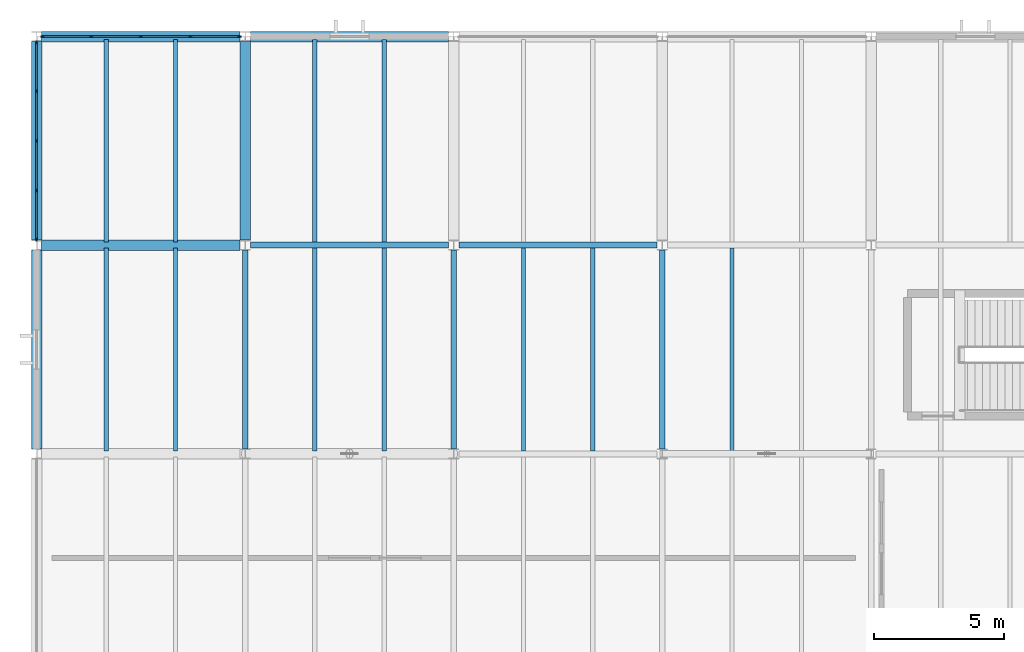
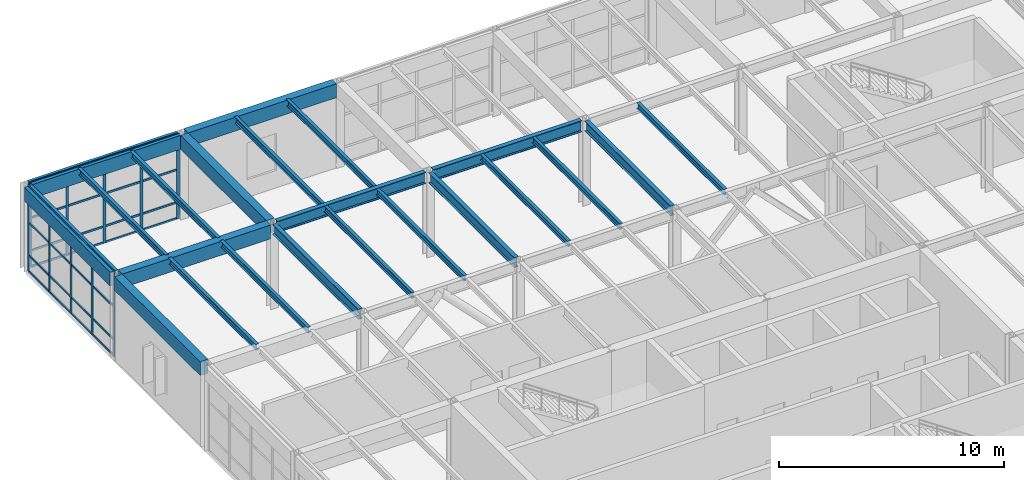
# One storey, part 22 of 60: 42 members, 22 beams, 2 elements without a shape of their own.
"""IFC4 building model written with IfcOpenShell, lengths in metres."""

from ifc_helpers import new_model, si_unit, direction, frame, origin, origin_2d, place, context, subcontext, project, spatial, rectangle, i_section, extrude, material, layer, layer_set, material_profile, profile_set, type_object, element, aggregate, save


model = new_model("IFC4")

# Units and contexts
model_context = context("Model", 3, precision=1e-05, world=origin(), true_north=direction((0.0, 1.0)))
body_context = subcontext(model_context, "Body", "Model", "MODEL_VIEW")
ifc_project = project(units=[si_unit("LENGTHUNIT", "METRE"), si_unit("AREAUNIT", "SQUARE_METRE"), si_unit("VOLUMEUNIT", "CUBIC_METRE"), si_unit("PLANEANGLEUNIT", "RADIAN"), si_unit("MASSUNIT", "GRAM", prefix="KILO")], contexts=[model_context])

# Site, building, storey
site_placement = place(None, origin())
site = spatial("IfcSite", under=ifc_project, at=site_placement, CompositionType="ELEMENT")
building_placement = place(site_placement, origin())
building = spatial("IfcBuilding", under=site, at=building_placement, Name="Varnela Railside Interchange", CompositionType="ELEMENT")
storey_placement = place(building_placement, frame((0.0, 0.0, 6.300048828125)))
storey = spatial("IfcBuildingStorey", under=building, at=storey_placement, Name="L01", CompositionType="ELEMENT", Elevation=6.300048828125)

# Beams
ifc_material_1 = material(Name="Steel AR 350 (350 MPa)", Category="steel")
ifc_material_profile_1 = material_profile(ifc_material_1, i_section(OverallWidth=0.1650390625, OverallDepth=0.31005859375, WebThickness=0.005859375, FlangeThickness=0.009765625, at=origin_2d()), Name="W310x38.7")
ifc_profile_set_1 = profile_set([ifc_material_profile_1], Name="Steel AR 350 (350 MPa)")
beam_type_1 = type_object("IfcBeamType", Name="Composite Floor Joist J-04", PredefinedType="JOIST", material=ifc_profile_set_1)
for number, where, z_axis, x_axis, name in (
    (1, (6.669921875, 78.114501953125, 4.445068359375), (0.0, 1.0, 0.0), (-1.0, 0.0, 0.0), "Composite Floor Joist J-04 (L01) (BM-1470)"),
    (2, (9.330078125, 78.114501953125, 4.445068359375), (0.0, 1.0, 0.0), (-1.0, 0.0, 0.0), "Composite Floor Joist J-04 (L01) (BM-1471)"),
    (3, (6.669921875, 86.114501953125, 4.445068359375), (0.0, 1.0, 0.0), (-1.0, 0.0, 0.0), "Composite Floor Joist J-04 (L01) (BM-1458)"),
    (4, (9.330078125, 86.114501953125, 4.445068359375), (0.0, 1.0, 0.0), (-1.0, 0.0, 0.0), "Composite Floor Joist J-04 (L01) (BM-1459)"),
    (5, (14.669921875, 78.114501953125, 4.445068359375), (0.0, 1.0, 0.0), (-1.0, 0.0, 0.0), "Composite Floor Joist J-04 (L01) (BM-1544)"),
    (6, (17.330078125, 78.114501953125, 4.445068359375), (0.0, 1.0, 0.0), (-1.0, 0.0, 0.0), "Composite Floor Joist J-04 (L01) (BM-1545)"),
    (7, (14.669921875, 86.114501953125, 4.445068359375), (0.0, 1.0, 0.0), (-1.0, 0.0, 0.0), "Composite Floor Joist J-04 (L01) (BM-1536)"),
    (8, (17.330078125, 86.114501953125, 4.445068359375), (0.0, 1.0, 0.0), (-1.0, 0.0, 0.0), "Composite Floor Joist J-04 (L01) (BM-1537)"),
    (9, (22.669921875, 78.114501953125, 4.445068359375), (0.0, 1.0, 0.0), (-1.0, 0.0, 0.0), "Composite Floor Joist J-04 (L01) (BM-1554)"),
    (10, (25.330078125, 78.114501953125, 4.445068359375), (0.0, 1.0, 0.0), (-1.0, 0.0, 0.0), "Composite Floor Joist J-04 (L01) (BM-1555)"),
    (11, (30.669921875, 78.114501953125, 4.445068359375), (0.0, 1.0, 0.0), (-1.0, 0.0, 0.0), "Composite Floor Joist J-04 (L01) (BM-1564)"),
):
    element("IfcBeam", number, at=place(storey_placement, frame(where, z_axis=z_axis, x_axis=x_axis)), inside=storey, type_object=beam_type_1, Name=name, PredefinedType="JOIST", context=body_context, shape_type="SweptSolid", body=[
        extrude(i_section(OverallWidth=0.1650390625, OverallDepth=0.31005859375, WebThickness=0.005859375, FlangeThickness=0.009765625, at=origin_2d()), origin(), (0.0, 0.0, 1.0), 7.77099609375),
    ])
ifc_material_profile_2 = material_profile(ifc_material_1, i_section(OverallWidth=0.2119140625, OverallDepth=0.5439453125, WebThickness=0.01318359375, FlangeThickness=0.021240234375, at=origin_2d()), Name="W530x123")
ifc_profile_set_2 = profile_set([ifc_material_profile_2], Name="Steel AR 350 (350 MPa)")
beam_type_2 = type_object("IfcBeamType", Name="Composite Heavy Girder B-16", PredefinedType="BEAM", material=ifc_profile_set_2)
for number, where, z_axis, x_axis, name in (
    (12, (12.0, 78.193603515625, 4.327880859375), (0.0, 1.0, 0.0), (-1.0, 0.0, 0.0), "Composite Heavy Girder B-16 (L01) (BM-1753)"),
    (13, (20.0, 78.193603515625, 4.327880859375), (0.0, 1.0, 0.0), (-1.0, 0.0, 0.0), "Composite Heavy Girder B-16 (L01) (BM-1758)"),
    (14, (28.0, 78.193603515625, 4.327880859375), (0.0, 1.0, 0.0), (-1.0, 0.0, 0.0), "Composite Heavy Girder B-16 (L01) (BM-1763)"),
):
    element("IfcBeam", number, at=place(storey_placement, frame(where, z_axis=z_axis, x_axis=x_axis)), inside=storey, type_object=beam_type_2, Name=name, PredefinedType="BEAM", context=body_context, shape_type="SweptSolid", body=[
        extrude(i_section(OverallWidth=0.2119140625, OverallDepth=0.5439453125, WebThickness=0.01318359375, FlangeThickness=0.021240234375, at=origin_2d()), origin(), (0.0, 0.0, 1.0), 7.61279296875),
    ])

# Curtain wall, members
ifc_material_2 = material(Name="Aluminium 6063-T6", Category="aluminium")
ifc_layer = layer(ifc_material_2, 0.035888671875)
ifc_layer_set = layer_set([ifc_layer], Name="Aluminium 6063-T6")
curtain_wall_type = type_object("IfcCurtainWallType", Name="Operations Wing Facade Curtain Wall CW-03", PredefinedType="USERDEFINED", material=ifc_layer_set)
curtain_wall_1_placement = place(storey_placement, origin())
curtain_wall_1 = element("IfcCurtainWall", 15, at=curtain_wall_1_placement, inside=storey, type_object=curtain_wall_type, Name="Curtain Wall CW-03 (L01) (CW-045)", ObjectType="CURTAIN WALL", PredefinedType="USERDEFINED")
ifc_material_profile_3 = material_profile(ifc_material_2, rectangle(XDim=0.06005859375, YDim=0.139892578125, at=origin_2d()), Name="ALU 60x140")
ifc_profile_set_3 = profile_set([ifc_material_profile_3], Name="Aluminium 6063-T6")
member_type_1 = type_object("IfcMemberType", Name="Curtain Wall Mullion ML-01", PredefinedType="MULLION", material=ifc_profile_set_3)
member_1_placement = place(storey_placement, frame((4.0, 86.223388671875, 0.0), z_axis=(0.0, 0.0, 1.0), x_axis=(-1.0, 0.0, 0.0)))
member_1 = element("IfcMember", 16, at=member_1_placement, type_object=member_type_1, Name="CW-03 mullion 1", PredefinedType="MULLION", context=body_context, shape_type="SweptSolid", body=[
    extrude(rectangle(XDim=0.06005859375, YDim=0.139892578125, at=origin_2d()), origin(), (0.0, 0.0, 1.0), 4.599853515625),
])
member_2_placement = place(storey_placement, frame((4.0, 88.0966796875, 0.0), z_axis=(0.0, 0.0, 1.0), x_axis=(-1.0, 0.0, 0.0)))
member_2 = element("IfcMember", 17, at=member_2_placement, type_object=member_type_1, Name="CW-03 mullion 2", PredefinedType="MULLION", context=body_context, shape_type="SweptSolid", body=[
    extrude(rectangle(XDim=0.06005859375, YDim=0.139892578125, at=origin_2d()), origin(), (0.0, 0.0, 1.0), 4.599853515625),
])
member_3_placement = place(storey_placement, frame((4.0, 90.0, 0.0), z_axis=(0.0, 0.0, 1.0), x_axis=(-1.0, 0.0, 0.0)))
member_3 = element("IfcMember", 18, at=member_3_placement, type_object=member_type_1, Name="CW-03 mullion 3", PredefinedType="MULLION", context=body_context, shape_type="SweptSolid", body=[
    extrude(rectangle(XDim=0.06005859375, YDim=0.139892578125, at=origin_2d()), origin(), (0.0, 0.0, 1.0), 4.599853515625),
])
member_4_placement = place(storey_placement, frame((4.0, 91.9033203125, 0.0), z_axis=(0.0, 0.0, 1.0), x_axis=(-1.0, 0.0, 0.0)))
member_4 = element("IfcMember", 19, at=member_4_placement, type_object=member_type_1, Name="CW-03 mullion 4", PredefinedType="MULLION", context=body_context, shape_type="SweptSolid", body=[
    extrude(rectangle(XDim=0.06005859375, YDim=0.139892578125, at=origin_2d()), origin(), (0.0, 0.0, 1.0), 4.599853515625),
])
member_5_placement = place(storey_placement, frame((4.0, 93.776611328125, 0.0), z_axis=(0.0, 0.0, 1.0), x_axis=(-1.0, 0.0, 0.0)))
member_5 = element("IfcMember", 20, at=member_5_placement, type_object=member_type_1, Name="CW-03 mullion 5", PredefinedType="MULLION", context=body_context, shape_type="SweptSolid", body=[
    extrude(rectangle(XDim=0.06005859375, YDim=0.139892578125, at=origin_2d()), origin(), (0.0, 0.0, 1.0), 4.599853515625),
])

curtain_wall_2_placement = place(storey_placement, origin())
curtain_wall_2 = element("IfcCurtainWall", 21, at=curtain_wall_2_placement, inside=storey, type_object=curtain_wall_type, Name="Curtain Wall CW-03 (L01) (CW-046)", ObjectType="CURTAIN WALL", PredefinedType="USERDEFINED")
member_6_placement = place(storey_placement, frame((4.22900390625, 94.0, 0.0), z_axis=(0.0, 0.0, 1.0), x_axis=(0.0, 1.0, 0.0)))
member_6 = element("IfcMember", 22, at=member_6_placement, type_object=member_type_1, Name="CW-03 mullion 1", PredefinedType="MULLION", context=body_context, shape_type="SweptSolid", body=[
    extrude(rectangle(XDim=0.06005859375, YDim=0.139892578125, at=origin_2d()), origin(), (0.0, 0.0, 1.0), 4.599853515625),
])
member_7_placement = place(storey_placement, frame((6.099609375, 94.0, 0.0), z_axis=(0.0, 0.0, 1.0), x_axis=(0.0, 1.0, 0.0)))
member_7 = element("IfcMember", 23, at=member_7_placement, type_object=member_type_1, Name="CW-03 mullion 2", PredefinedType="MULLION", context=body_context, shape_type="SweptSolid", body=[
    extrude(rectangle(XDim=0.06005859375, YDim=0.139892578125, at=origin_2d()), origin(), (0.0, 0.0, 1.0), 4.599853515625),
])
member_8_placement = place(storey_placement, frame((8.0, 94.0, 0.0), z_axis=(0.0, 0.0, 1.0), x_axis=(0.0, 1.0, 0.0)))
member_8 = element("IfcMember", 24, at=member_8_placement, type_object=member_type_1, Name="CW-03 mullion 3", PredefinedType="MULLION", context=body_context, shape_type="SweptSolid", body=[
    extrude(rectangle(XDim=0.06005859375, YDim=0.139892578125, at=origin_2d()), origin(), (0.0, 0.0, 1.0), 4.599853515625),
])
member_9_placement = place(storey_placement, frame((9.900390625, 94.0, 0.0), z_axis=(0.0, 0.0, 1.0), x_axis=(0.0, 1.0, 0.0)))
member_9 = element("IfcMember", 25, at=member_9_placement, type_object=member_type_1, Name="CW-03 mullion 4", PredefinedType="MULLION", context=body_context, shape_type="SweptSolid", body=[
    extrude(rectangle(XDim=0.06005859375, YDim=0.139892578125, at=origin_2d()), origin(), (0.0, 0.0, 1.0), 4.599853515625),
])
member_10_placement = place(storey_placement, frame((11.77099609375, 94.0, 0.0), z_axis=(0.0, 0.0, 1.0), x_axis=(0.0, 1.0, 0.0)))
member_10 = element("IfcMember", 26, at=member_10_placement, type_object=member_type_1, Name="CW-03 mullion 5", PredefinedType="MULLION", context=body_context, shape_type="SweptSolid", body=[
    extrude(rectangle(XDim=0.06005859375, YDim=0.139892578125, at=origin_2d()), origin(), (0.0, 0.0, 1.0), 4.599853515625),
])

# Member
ifc_material_profile_4 = material_profile(ifc_material_2, rectangle(XDim=0.06005859375, YDim=0.110107421875, at=origin_2d()), Name="ALU 60x110")
ifc_profile_set_4 = profile_set([ifc_material_profile_4], Name="Aluminium 6063-T6")
member_type_2 = type_object("IfcMemberType", Name="Curtain Wall Transom TR-01", PredefinedType="USERDEFINED", material=ifc_profile_set_4)
member_11_placement = place(storey_placement, frame((4.0, 86.25341796875, 0.030029296875), z_axis=(0.0, 1.0, 0.0), x_axis=(-1.0, 0.0, 0.0)))
member_11 = element("IfcMember", 27, at=member_11_placement, type_object=member_type_2, Name="CW-03 transom 1.1", ObjectType="TRANSOM", PredefinedType="USERDEFINED", context=body_context, shape_type="SweptSolid", body=[
    extrude(rectangle(XDim=0.06005859375, YDim=0.110107421875, at=origin_2d()), origin(), (0.0, 0.0, 1.0), 1.813232421875),
])

member_12_placement = place(storey_placement, frame((4.0, 86.25341796875, 0.89990234375), z_axis=(0.0, 1.0, 0.0), x_axis=(-1.0, 0.0, 0.0)))
member_12 = element("IfcMember", 28, at=member_12_placement, type_object=member_type_2, Name="CW-03 transom 1.2", ObjectType="TRANSOM", PredefinedType="USERDEFINED", context=body_context, shape_type="SweptSolid", body=[
    extrude(rectangle(XDim=0.06005859375, YDim=0.110107421875, at=origin_2d()), origin(), (0.0, 0.0, 1.0), 1.813232421875),
])

member_13_placement = place(storey_placement, frame((4.0, 86.25341796875, 2.66796875), z_axis=(0.0, 1.0, 0.0), x_axis=(-1.0, 0.0, 0.0)))
member_13 = element("IfcMember", 29, at=member_13_placement, type_object=member_type_2, Name="CW-03 transom 1.3", ObjectType="TRANSOM", PredefinedType="USERDEFINED", context=body_context, shape_type="SweptSolid", body=[
    extrude(rectangle(XDim=0.06005859375, YDim=0.110107421875, at=origin_2d()), origin(), (0.0, 0.0, 1.0), 1.813232421875),
])

member_14_placement = place(storey_placement, frame((4.0, 86.25341796875, 4.570068359375), z_axis=(0.0, 1.0, 0.0), x_axis=(-1.0, 0.0, 0.0)))
member_14 = element("IfcMember", 30, at=member_14_placement, type_object=member_type_2, Name="CW-03 transom 1.4", ObjectType="TRANSOM", PredefinedType="USERDEFINED", context=body_context, shape_type="SweptSolid", body=[
    extrude(rectangle(XDim=0.06005859375, YDim=0.110107421875, at=origin_2d()), origin(), (0.0, 0.0, 1.0), 1.813232421875),
])

member_15_placement = place(storey_placement, frame((4.0, 88.126708984375, 0.030029296875), z_axis=(0.0, 1.0, 0.0), x_axis=(-1.0, 0.0, 0.0)))
member_15 = element("IfcMember", 31, at=member_15_placement, type_object=member_type_2, Name="CW-03 transom 2.1", ObjectType="TRANSOM", PredefinedType="USERDEFINED", context=body_context, shape_type="SweptSolid", body=[
    extrude(rectangle(XDim=0.06005859375, YDim=0.110107421875, at=origin_2d()), origin(), (0.0, 0.0, 1.0), 1.84326171875),
])

member_16_placement = place(storey_placement, frame((4.0, 88.126708984375, 0.89990234375), z_axis=(0.0, 1.0, 0.0), x_axis=(-1.0, 0.0, 0.0)))
member_16 = element("IfcMember", 32, at=member_16_placement, type_object=member_type_2, Name="CW-03 transom 2.2", ObjectType="TRANSOM", PredefinedType="USERDEFINED", context=body_context, shape_type="SweptSolid", body=[
    extrude(rectangle(XDim=0.06005859375, YDim=0.110107421875, at=origin_2d()), origin(), (0.0, 0.0, 1.0), 1.84326171875),
])

member_17_placement = place(storey_placement, frame((4.0, 88.126708984375, 2.66796875), z_axis=(0.0, 1.0, 0.0), x_axis=(-1.0, 0.0, 0.0)))
member_17 = element("IfcMember", 33, at=member_17_placement, type_object=member_type_2, Name="CW-03 transom 2.3", ObjectType="TRANSOM", PredefinedType="USERDEFINED", context=body_context, shape_type="SweptSolid", body=[
    extrude(rectangle(XDim=0.06005859375, YDim=0.110107421875, at=origin_2d()), origin(), (0.0, 0.0, 1.0), 1.84326171875),
])

member_18_placement = place(storey_placement, frame((4.0, 88.126708984375, 4.570068359375), z_axis=(0.0, 1.0, 0.0), x_axis=(-1.0, 0.0, 0.0)))
member_18 = element("IfcMember", 34, at=member_18_placement, type_object=member_type_2, Name="CW-03 transom 2.4", ObjectType="TRANSOM", PredefinedType="USERDEFINED", context=body_context, shape_type="SweptSolid", body=[
    extrude(rectangle(XDim=0.06005859375, YDim=0.110107421875, at=origin_2d()), origin(), (0.0, 0.0, 1.0), 1.84326171875),
])

member_19_placement = place(storey_placement, frame((4.0, 90.030029296875, 0.030029296875), z_axis=(0.0, 1.0, 0.0), x_axis=(-1.0, 0.0, 0.0)))
member_19 = element("IfcMember", 35, at=member_19_placement, type_object=member_type_2, Name="CW-03 transom 3.1", ObjectType="TRANSOM", PredefinedType="USERDEFINED", context=body_context, shape_type="SweptSolid", body=[
    extrude(rectangle(XDim=0.06005859375, YDim=0.110107421875, at=origin_2d()), origin(), (0.0, 0.0, 1.0), 1.84326171875),
])

member_20_placement = place(storey_placement, frame((4.0, 90.030029296875, 0.89990234375), z_axis=(0.0, 1.0, 0.0), x_axis=(-1.0, 0.0, 0.0)))
member_20 = element("IfcMember", 36, at=member_20_placement, type_object=member_type_2, Name="CW-03 transom 3.2", ObjectType="TRANSOM", PredefinedType="USERDEFINED", context=body_context, shape_type="SweptSolid", body=[
    extrude(rectangle(XDim=0.06005859375, YDim=0.110107421875, at=origin_2d()), origin(), (0.0, 0.0, 1.0), 1.84326171875),
])

member_21_placement = place(storey_placement, frame((4.0, 90.030029296875, 2.66796875), z_axis=(0.0, 1.0, 0.0), x_axis=(-1.0, 0.0, 0.0)))
member_21 = element("IfcMember", 37, at=member_21_placement, type_object=member_type_2, Name="CW-03 transom 3.3", ObjectType="TRANSOM", PredefinedType="USERDEFINED", context=body_context, shape_type="SweptSolid", body=[
    extrude(rectangle(XDim=0.06005859375, YDim=0.110107421875, at=origin_2d()), origin(), (0.0, 0.0, 1.0), 1.84326171875),
])

member_22_placement = place(storey_placement, frame((4.0, 90.030029296875, 4.570068359375), z_axis=(0.0, 1.0, 0.0), x_axis=(-1.0, 0.0, 0.0)))
member_22 = element("IfcMember", 38, at=member_22_placement, type_object=member_type_2, Name="CW-03 transom 3.4", ObjectType="TRANSOM", PredefinedType="USERDEFINED", context=body_context, shape_type="SweptSolid", body=[
    extrude(rectangle(XDim=0.06005859375, YDim=0.110107421875, at=origin_2d()), origin(), (0.0, 0.0, 1.0), 1.84326171875),
])

member_23_placement = place(storey_placement, frame((4.0, 91.933349609375, 0.030029296875), z_axis=(0.0, 1.0, 0.0), x_axis=(-1.0, 0.0, 0.0)))
member_23 = element("IfcMember", 39, at=member_23_placement, type_object=member_type_2, Name="CW-03 transom 4.1", ObjectType="TRANSOM", PredefinedType="USERDEFINED", context=body_context, shape_type="SweptSolid", body=[
    extrude(rectangle(XDim=0.06005859375, YDim=0.110107421875, at=origin_2d()), origin(), (0.0, 0.0, 1.0), 1.813232421875),
])

member_24_placement = place(storey_placement, frame((4.0, 91.933349609375, 0.89990234375), z_axis=(0.0, 1.0, 0.0), x_axis=(-1.0, 0.0, 0.0)))
member_24 = element("IfcMember", 40, at=member_24_placement, type_object=member_type_2, Name="CW-03 transom 4.2", ObjectType="TRANSOM", PredefinedType="USERDEFINED", context=body_context, shape_type="SweptSolid", body=[
    extrude(rectangle(XDim=0.06005859375, YDim=0.110107421875, at=origin_2d()), origin(), (0.0, 0.0, 1.0), 1.813232421875),
])

member_25_placement = place(storey_placement, frame((4.0, 91.933349609375, 2.66796875), z_axis=(0.0, 1.0, 0.0), x_axis=(-1.0, 0.0, 0.0)))
member_25 = element("IfcMember", 41, at=member_25_placement, type_object=member_type_2, Name="CW-03 transom 4.3", ObjectType="TRANSOM", PredefinedType="USERDEFINED", context=body_context, shape_type="SweptSolid", body=[
    extrude(rectangle(XDim=0.06005859375, YDim=0.110107421875, at=origin_2d()), origin(), (0.0, 0.0, 1.0), 1.813232421875),
])

member_26_placement = place(storey_placement, frame((4.0, 91.933349609375, 4.570068359375), z_axis=(0.0, 1.0, 0.0), x_axis=(-1.0, 0.0, 0.0)))
member_26 = element("IfcMember", 42, at=member_26_placement, type_object=member_type_2, Name="CW-03 transom 4.4", ObjectType="TRANSOM", PredefinedType="USERDEFINED", context=body_context, shape_type="SweptSolid", body=[
    extrude(rectangle(XDim=0.06005859375, YDim=0.110107421875, at=origin_2d()), origin(), (0.0, 0.0, 1.0), 1.813232421875),
])

aggregate(curtain_wall_1, [member_1, member_2, member_3, member_4, member_5, member_11, member_12, member_13, member_14, member_15, member_16, member_17, member_18, member_19, member_20, member_21, member_22, member_23, member_24, member_25, member_26])

member_27_placement = place(storey_placement, frame((4.259033203125, 94.0, 0.030029296875), z_axis=(1.0, 0.0, 0.0), x_axis=(0.0, 1.0, 0.0)))
member_27 = element("IfcMember", 43, at=member_27_placement, type_object=member_type_2, Name="CW-03 transom 1.1", ObjectType="TRANSOM", PredefinedType="USERDEFINED", context=body_context, shape_type="SweptSolid", body=[
    extrude(rectangle(XDim=0.06005859375, YDim=0.110107421875, at=origin_2d()), origin(), (0.0, 0.0, 1.0), 1.810546875),
])

member_28_placement = place(storey_placement, frame((4.259033203125, 94.0, 0.89990234375), z_axis=(1.0, 0.0, 0.0), x_axis=(0.0, 1.0, 0.0)))
member_28 = element("IfcMember", 44, at=member_28_placement, type_object=member_type_2, Name="CW-03 transom 1.2", ObjectType="TRANSOM", PredefinedType="USERDEFINED", context=body_context, shape_type="SweptSolid", body=[
    extrude(rectangle(XDim=0.06005859375, YDim=0.110107421875, at=origin_2d()), origin(), (0.0, 0.0, 1.0), 1.810546875),
])

member_29_placement = place(storey_placement, frame((4.259033203125, 94.0, 2.66796875), z_axis=(1.0, 0.0, 0.0), x_axis=(0.0, 1.0, 0.0)))
member_29 = element("IfcMember", 45, at=member_29_placement, type_object=member_type_2, Name="CW-03 transom 1.3", ObjectType="TRANSOM", PredefinedType="USERDEFINED", context=body_context, shape_type="SweptSolid", body=[
    extrude(rectangle(XDim=0.06005859375, YDim=0.110107421875, at=origin_2d()), origin(), (0.0, 0.0, 1.0), 1.810546875),
])

member_30_placement = place(storey_placement, frame((4.259033203125, 94.0, 4.570068359375), z_axis=(1.0, 0.0, 0.0), x_axis=(0.0, 1.0, 0.0)))
member_30 = element("IfcMember", 46, at=member_30_placement, type_object=member_type_2, Name="CW-03 transom 1.4", ObjectType="TRANSOM", PredefinedType="USERDEFINED", context=body_context, shape_type="SweptSolid", body=[
    extrude(rectangle(XDim=0.06005859375, YDim=0.110107421875, at=origin_2d()), origin(), (0.0, 0.0, 1.0), 1.810546875),
])

member_31_placement = place(storey_placement, frame((6.12939453125, 94.0, 0.030029296875), z_axis=(1.0, 0.0, 0.0), x_axis=(0.0, 1.0, 0.0)))
member_31 = element("IfcMember", 47, at=member_31_placement, type_object=member_type_2, Name="CW-03 transom 2.1", ObjectType="TRANSOM", PredefinedType="USERDEFINED", context=body_context, shape_type="SweptSolid", body=[
    extrude(rectangle(XDim=0.06005859375, YDim=0.110107421875, at=origin_2d()), origin(), (0.0, 0.0, 1.0), 1.840576171875),
])

member_32_placement = place(storey_placement, frame((6.12939453125, 94.0, 0.89990234375), z_axis=(1.0, 0.0, 0.0), x_axis=(0.0, 1.0, 0.0)))
member_32 = element("IfcMember", 48, at=member_32_placement, type_object=member_type_2, Name="CW-03 transom 2.2", ObjectType="TRANSOM", PredefinedType="USERDEFINED", context=body_context, shape_type="SweptSolid", body=[
    extrude(rectangle(XDim=0.06005859375, YDim=0.110107421875, at=origin_2d()), origin(), (0.0, 0.0, 1.0), 1.840576171875),
])

member_33_placement = place(storey_placement, frame((6.12939453125, 94.0, 2.66796875), z_axis=(1.0, 0.0, 0.0), x_axis=(0.0, 1.0, 0.0)))
member_33 = element("IfcMember", 49, at=member_33_placement, type_object=member_type_2, Name="CW-03 transom 2.3", ObjectType="TRANSOM", PredefinedType="USERDEFINED", context=body_context, shape_type="SweptSolid", body=[
    extrude(rectangle(XDim=0.06005859375, YDim=0.110107421875, at=origin_2d()), origin(), (0.0, 0.0, 1.0), 1.840576171875),
])

member_34_placement = place(storey_placement, frame((6.12939453125, 94.0, 4.570068359375), z_axis=(1.0, 0.0, 0.0), x_axis=(0.0, 1.0, 0.0)))
member_34 = element("IfcMember", 50, at=member_34_placement, type_object=member_type_2, Name="CW-03 transom 2.4", ObjectType="TRANSOM", PredefinedType="USERDEFINED", context=body_context, shape_type="SweptSolid", body=[
    extrude(rectangle(XDim=0.06005859375, YDim=0.110107421875, at=origin_2d()), origin(), (0.0, 0.0, 1.0), 1.840576171875),
])

member_35_placement = place(storey_placement, frame((8.030029296875, 94.0, 0.030029296875), z_axis=(1.0, 0.0, 0.0), x_axis=(0.0, 1.0, 0.0)))
member_35 = element("IfcMember", 51, at=member_35_placement, type_object=member_type_2, Name="CW-03 transom 3.1", ObjectType="TRANSOM", PredefinedType="USERDEFINED", context=body_context, shape_type="SweptSolid", body=[
    extrude(rectangle(XDim=0.06005859375, YDim=0.110107421875, at=origin_2d()), origin(), (0.0, 0.0, 1.0), 1.840576171875),
])

member_36_placement = place(storey_placement, frame((8.030029296875, 94.0, 0.89990234375), z_axis=(1.0, 0.0, 0.0), x_axis=(0.0, 1.0, 0.0)))
member_36 = element("IfcMember", 52, at=member_36_placement, type_object=member_type_2, Name="CW-03 transom 3.2", ObjectType="TRANSOM", PredefinedType="USERDEFINED", context=body_context, shape_type="SweptSolid", body=[
    extrude(rectangle(XDim=0.06005859375, YDim=0.110107421875, at=origin_2d()), origin(), (0.0, 0.0, 1.0), 1.840576171875),
])

member_37_placement = place(storey_placement, frame((8.030029296875, 94.0, 2.66796875), z_axis=(1.0, 0.0, 0.0), x_axis=(0.0, 1.0, 0.0)))
member_37 = element("IfcMember", 53, at=member_37_placement, type_object=member_type_2, Name="CW-03 transom 3.3", ObjectType="TRANSOM", PredefinedType="USERDEFINED", context=body_context, shape_type="SweptSolid", body=[
    extrude(rectangle(XDim=0.06005859375, YDim=0.110107421875, at=origin_2d()), origin(), (0.0, 0.0, 1.0), 1.840576171875),
])

member_38_placement = place(storey_placement, frame((8.030029296875, 94.0, 4.570068359375), z_axis=(1.0, 0.0, 0.0), x_axis=(0.0, 1.0, 0.0)))
member_38 = element("IfcMember", 54, at=member_38_placement, type_object=member_type_2, Name="CW-03 transom 3.4", ObjectType="TRANSOM", PredefinedType="USERDEFINED", context=body_context, shape_type="SweptSolid", body=[
    extrude(rectangle(XDim=0.06005859375, YDim=0.110107421875, at=origin_2d()), origin(), (0.0, 0.0, 1.0), 1.840576171875),
])

member_39_placement = place(storey_placement, frame((9.930419921875, 94.0, 0.030029296875), z_axis=(1.0, 0.0, 0.0), x_axis=(0.0, 1.0, 0.0)))
member_39 = element("IfcMember", 55, at=member_39_placement, type_object=member_type_2, Name="CW-03 transom 4.1", ObjectType="TRANSOM", PredefinedType="USERDEFINED", context=body_context, shape_type="SweptSolid", body=[
    extrude(rectangle(XDim=0.06005859375, YDim=0.110107421875, at=origin_2d()), origin(), (0.0, 0.0, 1.0), 1.810546875),
])

member_40_placement = place(storey_placement, frame((9.930419921875, 94.0, 0.89990234375), z_axis=(1.0, 0.0, 0.0), x_axis=(0.0, 1.0, 0.0)))
member_40 = element("IfcMember", 56, at=member_40_placement, type_object=member_type_2, Name="CW-03 transom 4.2", ObjectType="TRANSOM", PredefinedType="USERDEFINED", context=body_context, shape_type="SweptSolid", body=[
    extrude(rectangle(XDim=0.06005859375, YDim=0.110107421875, at=origin_2d()), origin(), (0.0, 0.0, 1.0), 1.810546875),
])

member_41_placement = place(storey_placement, frame((9.930419921875, 94.0, 2.66796875), z_axis=(1.0, 0.0, 0.0), x_axis=(0.0, 1.0, 0.0)))
member_41 = element("IfcMember", 57, at=member_41_placement, type_object=member_type_2, Name="CW-03 transom 4.3", ObjectType="TRANSOM", PredefinedType="USERDEFINED", context=body_context, shape_type="SweptSolid", body=[
    extrude(rectangle(XDim=0.06005859375, YDim=0.110107421875, at=origin_2d()), origin(), (0.0, 0.0, 1.0), 1.810546875),
])

member_42_placement = place(storey_placement, frame((9.930419921875, 94.0, 4.570068359375), z_axis=(1.0, 0.0, 0.0), x_axis=(0.0, 1.0, 0.0)))
member_42 = element("IfcMember", 58, at=member_42_placement, type_object=member_type_2, Name="CW-03 transom 4.4", ObjectType="TRANSOM", PredefinedType="USERDEFINED", context=body_context, shape_type="SweptSolid", body=[
    extrude(rectangle(XDim=0.06005859375, YDim=0.110107421875, at=origin_2d()), origin(), (0.0, 0.0, 1.0), 1.810546875),
])

aggregate(curtain_wall_2, [member_6, member_7, member_8, member_9, member_10, member_27, member_28, member_29, member_30, member_31, member_32, member_33, member_34, member_35, member_36, member_37, member_38, member_39, member_40, member_41, member_42])

# Beams
ifc_material_profile_5 = material_profile(ifc_material_1, i_section(OverallWidth=0.22900390625, OverallDepth=0.612060546875, WebThickness=0.011962890625, FlangeThickness=0.01953125, at=origin_2d()), Name="W610x125")
ifc_profile_set_5 = profile_set([ifc_material_profile_5], Name="Steel AR 350 (350 MPa)")
beam_type_3 = type_object("IfcBeamType", Name="Podium Composite Girder B-15", PredefinedType="BEAM", material=ifc_profile_set_5)
for number, where, z_axis, x_axis, name in (
    (59, (12.198974609375, 86.0, 4.2939453125), (1.0, 0.0, 0.0), (0.0, 1.0, 0.0), "Podium Composite Girder B-15 (L01) (BM-1686)"),
    (60, (20.198974609375, 86.0, 4.2939453125), (1.0, 0.0, 0.0), (0.0, 1.0, 0.0), "Podium Composite Girder B-15 (L01) (BM-1688)"),
):
    element("IfcBeam", number, at=place(storey_placement, frame(where, z_axis=z_axis, x_axis=x_axis)), inside=storey, type_object=beam_type_3, Name=name, PredefinedType="BEAM", context=body_context, shape_type="SweptSolid", body=[
        extrude(i_section(OverallWidth=0.22900390625, OverallDepth=0.612060546875, WebThickness=0.011962890625, FlangeThickness=0.01953125, at=origin_2d()), origin(), (0.0, 0.0, 1.0), 7.60205078125),
    ])
ifc_material_3 = material(Name="Concrete C40 precast", Category="concrete")
ifc_material_profile_6 = material_profile(ifc_material_3, rectangle(XDim=0.39990234375, YDim=0.75, at=origin_2d()), Name="PC 400x750")
ifc_profile_set_6 = profile_set([ifc_material_profile_6], Name="Concrete C40 precast")
beam_type_4 = type_object("IfcBeamType", Name="Precast Facade Spandrel SP-03", PredefinedType="SPANDREL", material=ifc_profile_set_6)
for number, where, z_axis, x_axis, name in (
    (61, (4.198974609375, 86.0, 4.224853515625), (1.0, 0.0, 0.0), (0.0, 1.0, 0.0), "Precast Facade Spandrel SP-03 (L01) (BM-1692)"),
    (62, (4.198974609375, 94.0, 4.224853515625), (1.0, 0.0, 0.0), (0.0, 1.0, 0.0), "Precast Facade Spandrel SP-03 (L01) (BM-1701)"),
    (63, (12.198974609375, 94.0, 4.224853515625), (1.0, 0.0, 0.0), (0.0, 1.0, 0.0), "Precast Facade Spandrel SP-03 (L01) (BM-1695)"),
):
    element("IfcBeam", number, at=place(storey_placement, frame(where, z_axis=z_axis, x_axis=x_axis)), inside=storey, type_object=beam_type_4, Name=name, PredefinedType="SPANDREL", context=body_context, shape_type="SweptSolid", body=[
        extrude(rectangle(XDim=0.39990234375, YDim=0.75, at=origin_2d()), origin(), (0.0, 0.0, 1.0), 7.60205078125),
    ])
for number, where, z_axis, x_axis, name in (
    (64, (4.0, 78.193603515625, 4.224853515625), (0.0, 1.0, 0.0), (-1.0, 0.0, 0.0), "Precast Facade Spandrel SP-03 (L01) (BM-1743)"),
    (65, (4.0, 86.193603515625, 4.224853515625), (0.0, 1.0, 0.0), (-1.0, 0.0, 0.0), "Precast Facade Spandrel SP-03 (L01) (BM-1744)"),
    (66, (12.0, 86.193603515625, 4.224853515625), (0.0, 1.0, 0.0), (-1.0, 0.0, 0.0), "Precast Facade Spandrel SP-03 (L01) (BM-1754)"),
):
    element("IfcBeam", number, at=place(storey_placement, frame(where, z_axis=z_axis, x_axis=x_axis)), inside=storey, type_object=beam_type_4, Name=name, PredefinedType="SPANDREL", context=body_context, shape_type="SweptSolid", body=[
        extrude(rectangle(XDim=0.39990234375, YDim=0.75, at=origin_2d()), origin(), (0.0, 0.0, 1.0), 7.61279296875),
    ])

save(model, "model.ifc")
